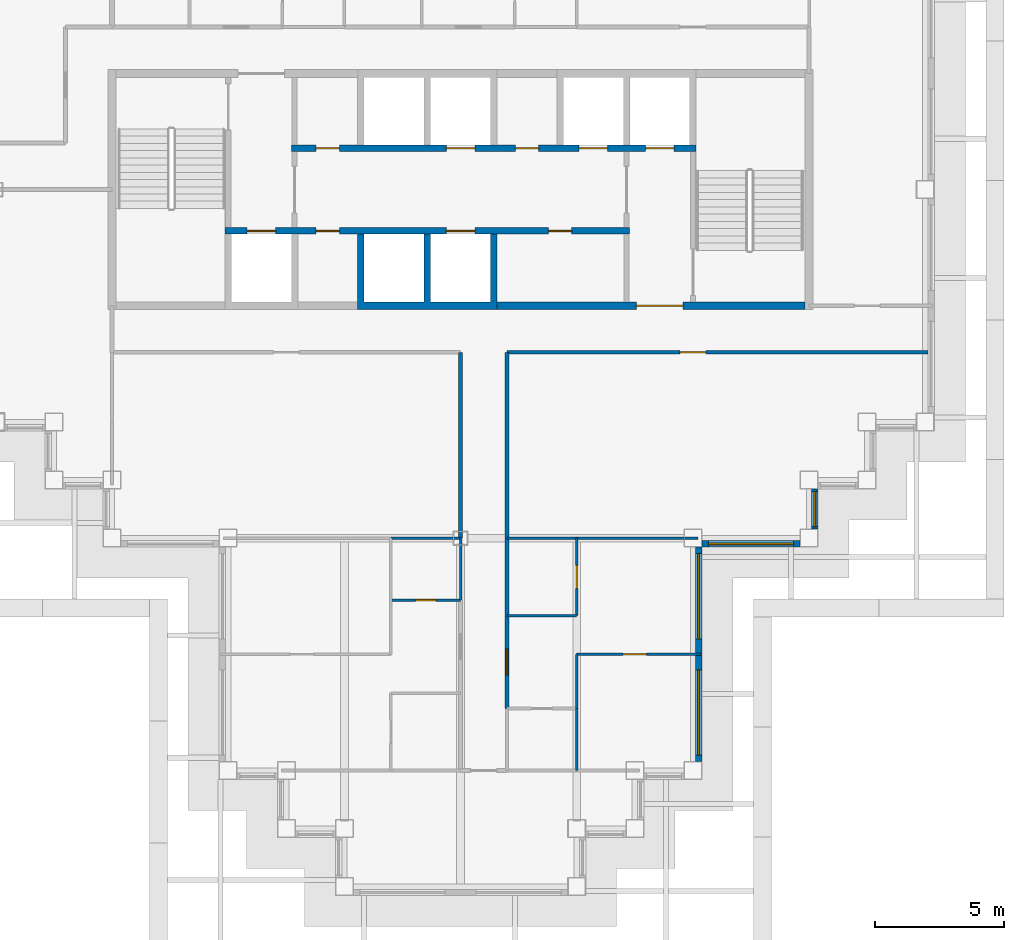
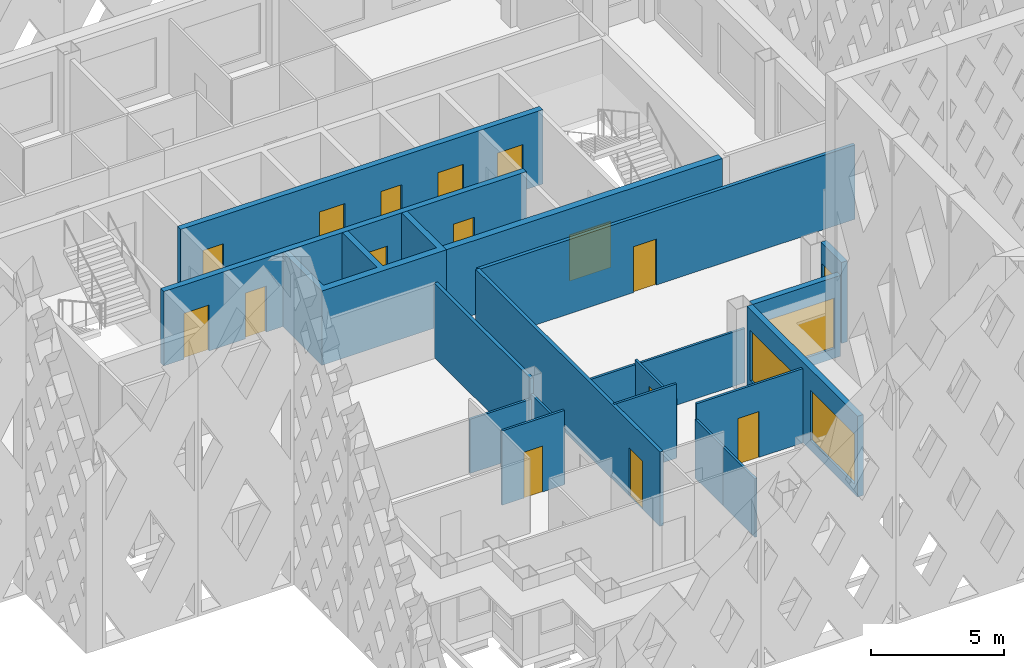
# One storey, part 4 of 16: 19 walls, 15 doors, 4 windows, 19 openings.
"""IFC4 building model written with IfcOpenShell, lengths in metres."""

import ifcopenshell
import ifcopenshell.guid

model = None  # the IFC model being written
_history = None  # IfcOwnerHistory: only IFC2X3 demands one
_inside = {}  # id of a spatial element -> (the spatial element, [elements in it])
_under = {}  # id of a project, library or spatial element -> (it, [spatial elements below it])
_declared = {}  # id of a project -> (the project, [libraries it declares])
_typed = {}  # id of a type object -> (the type object, [elements of that type])
_made_of = {}  # id of a material, layer set ... -> (it, [elements and type objects made of it])


def new_model(schema):
    """Start an empty IFC model of exactly this schema.

    Asked for "IFC4X3", IfcOpenShell would pick the latest addendum, in which some entities
    have other attributes; the version numbers below select the first issue.
    IFC2X3 requires an IfcOwnerHistory on every rooted entity: one is made here for all.
    """
    global model, _history
    if schema == "IFC4X3":
        model = ifcopenshell.file(schema_version=(4, 3, 0, 0))
    else:
        model = ifcopenshell.file(schema=schema)
    _inside.clear()
    _under.clear()
    _declared.clear()
    _typed.clear()
    _made_of.clear()
    _history = None
    if model.schema == "IFC2X3":
        org = make("IfcOrganization", Name="unknown")
        user = make(
            "IfcPersonAndOrganization",
            ThePerson=make("IfcPerson", FamilyName="unknown"),
            TheOrganization=org,
        )
        app = make(
            "IfcApplication",
            ApplicationDeveloper=org,
            Version="unknown",
            ApplicationFullName="unknown",
            ApplicationIdentifier="unknown",
        )
        _history = make(
            "IfcOwnerHistory",
            OwningUser=user,
            OwningApplication=app,
            ChangeAction="ADDED",
            CreationDate=0,
        )
    return model


def make(cls, **values):
    """One entity of the class cls with the attributes given. An attribute that is None is left unset."""
    return model.create_entity(
        cls, **{name: value for name, value in values.items() if value is not None}
    )


def rooted(cls, **values):
    """An entity with a GlobalId (a new one), such as an element, a storey or a relation."""
    return make(cls, GlobalId=ifcopenshell.guid.new(), OwnerHistory=_history, **values)


def si_unit(unit_type, name, prefix=None):
    """IfcSIUnit, for example si_unit("LENGTHUNIT", "METRE", prefix="MILLI")."""
    return make("IfcSIUnit", UnitType=unit_type, Prefix=prefix, Name=name)


def assignment(units):
    """IfcUnitAssignment: the units of a project."""
    return None if units is None else make("IfcUnitAssignment", Units=units)


def point(xyz):
    """IfcCartesianPoint."""
    return None if xyz is None else make("IfcCartesianPoint", Coordinates=xyz)


def direction(xyz):
    """IfcDirection."""
    return None if xyz is None else make("IfcDirection", DirectionRatios=xyz)


def frame(location, z_axis=None, x_axis=None):
    """IfcAxis2Placement3D, a coordinate frame: its origin and axes. An axis left out is left unset."""
    return make(
        "IfcAxis2Placement3D",
        Location=point(location),
        Axis=direction(z_axis),
        RefDirection=direction(x_axis),
    )


def frame_2d(location, x_axis=None):
    """IfcAxis2Placement2D, a coordinate frame in the plane: its origin and x axis."""
    return make(
        "IfcAxis2Placement2D", Location=point(location), RefDirection=direction(x_axis)
    )


def origin():
    """The frame at (0, 0, 0) with its axes left unset."""
    return frame((0.0, 0.0, 0.0))


def place(relative_to, where):
    """IfcLocalPlacement: puts the frame where relative to a parent placement (None: the world)."""
    return make(
        "IfcLocalPlacement", PlacementRelTo=relative_to, RelativePlacement=where
    )


def context(
    kind, dimensions, precision=None, world=None, true_north=None, identifier=None
):
    """IfcGeometricRepresentationContext, for example the 3D "Model" context."""
    return make(
        "IfcGeometricRepresentationContext",
        ContextIdentifier=identifier,
        ContextType=kind,
        CoordinateSpaceDimension=dimensions,
        Precision=precision,
        WorldCoordinateSystem=world,
        TrueNorth=true_north,
    )


def subcontext(parent, identifier, kind, view, scale=None):
    """IfcGeometricRepresentationSubContext, for example "Body" below "Model"."""
    return make(
        "IfcGeometricRepresentationSubContext",
        ContextIdentifier=identifier,
        ContextType=kind,
        ParentContext=parent,
        TargetScale=scale,
        TargetView=view,
    )


def project(units=None, contexts=None):
    """IfcProject with its units and contexts."""
    return rooted(
        "IfcProject",
        Name="project",
        RepresentationContexts=contexts,
        UnitsInContext=assignment(units),
    )


def spatial(cls, under=None, at=None, **own):
    """A site, building, storey or space (cls), placed at a placement, below another one or the project."""
    s = rooted(cls, ObjectPlacement=at, **own)
    if under is not None:
        _under.setdefault(under.id(), (under, []))[1].append(s)
    return s


def polyline(points):
    """IfcPolyline through the points."""
    return make("IfcPolyline", Points=[point(p) for p in points])


def profile(cls, at=None, kind="AREA", **sizes):
    """A parametric profile (cls). Its sizes go by their IFC names, for example OverallWidth=200.0."""
    return make(cls, ProfileType=kind, Position=at, **sizes)


def rectangle(**sizes):
    """IfcRectangleProfileDef."""
    return profile("IfcRectangleProfileDef", **sizes)


def outline(outer, holes=None, kind="AREA"):
    """IfcArbitraryClosedProfileDef: a profile drawn as a closed curve; with holes, ...WithVoids."""
    if holes is None:
        return make("IfcArbitraryClosedProfileDef", ProfileType=kind, OuterCurve=outer)
    return make(
        "IfcArbitraryProfileDefWithVoids",
        ProfileType=kind,
        OuterCurve=outer,
        InnerCurves=holes,
    )


def extrude(swept, where, along, depth):
    """IfcExtrudedAreaSolid: the profile swept, set in the frame where, extruded along a direction by depth."""
    return make(
        "IfcExtrudedAreaSolid",
        SweptArea=swept,
        Position=where,
        ExtrudedDirection=direction(along),
        Depth=depth,
    )


def shape(context_of_items, identifier, shape_type, items):
    """IfcShapeRepresentation: the items that make up one representation, for example the "Body"."""
    return make(
        "IfcShapeRepresentation",
        ContextOfItems=context_of_items,
        RepresentationIdentifier=identifier,
        RepresentationType=shape_type,
        Items=items,
    )


def material(Name=None, Category=None):
    """IfcMaterial."""
    return make("IfcMaterial", Name=Name, Category=Category)


def layer(
    of_material, thickness, ventilated=None, Name=None, Category=None, Priority=None
):
    """IfcMaterialLayer: one layer of a wall or slab, of a material (None: an air gap)."""
    return make(
        "IfcMaterialLayer",
        Material=of_material,
        LayerThickness=thickness,
        IsVentilated=ventilated,
        Name=Name,
        Category=Category,
        Priority=Priority,
    )


def layer_set(layers, Name=None):
    """IfcMaterialLayerSet."""
    return make("IfcMaterialLayerSet", MaterialLayers=layers, LayerSetName=Name)


def made_of(thing, what):
    """Note that an element or type object is made of a material, layer set ...; save() writes the relation."""
    if what is not None:
        _made_of.setdefault(what.id(), (what, []))[1].append(thing)
    return thing


def type_object(cls, material=None, **own):
    """A type object (cls), such as IfcWallType, which elements share."""
    return made_of(rooted(cls, **own), material)


def element(
    cls,
    number,
    at=None,
    inside=None,
    cuts=None,
    type_object=None,
    material=None,
    context=None,
    identifier="Body",
    shape_type=None,
    held_by="IfcProductDefinitionShape",
    body=None,
    shapes=None,
    **own,
):
    """One element of the class cls, such as IfcWall. Its Tag is "e" and its number.

    at: its placement. inside: the storey or other place that contains it. cuts: it is an
    opening in that element (IfcRelVoidsElement). A single representation is given by context,
    identifier, shape_type and body (its items); several are given by shapes. held_by: the class
    of the entity that holds the representations. save() writes the other relations.
    """
    e = rooted(cls, Tag="e%d" % number, ObjectPlacement=at, **own)
    if body is not None:
        shapes = [shape(context, identifier, shape_type, body)]
    if shapes is not None:
        e.Representation = make(held_by, Representations=shapes)
    if inside is not None:
        _inside.setdefault(inside.id(), (inside, []))[1].append(e)
    if cuts is not None:
        rooted(
            "IfcRelVoidsElement", RelatingBuildingElement=cuts, RelatedOpeningElement=e
        )
    if type_object is not None:
        _typed.setdefault(type_object.id(), (type_object, []))[1].append(e)
    return made_of(e, material)


def fill(opening, filler):
    """IfcRelFillsElement: the door or window that sits in an opening."""
    return rooted(
        "IfcRelFillsElement",
        RelatingOpeningElement=opening,
        RelatedBuildingElement=filler,
    )


def aggregate(whole, parts):
    """IfcRelAggregates: a whole, such as a stair, and the parts it consists of."""
    return rooted("IfcRelAggregates", RelatingObject=whole, RelatedObjects=parts)


def save(model, path):
    """Write the relations noted so far, then the file.

    IfcRelAggregates (storeys below a building ...), IfcRelContainedInSpatialStructure (elements
    in a storey), IfcRelDefinesByType, IfcRelAssociatesMaterial and IfcRelDeclares: one each for
    every whole, place, type object, material and project.
    """
    for whole, parts in _under.values():
        aggregate(whole, parts)
    for where, things in _inside.values():
        rooted(
            "IfcRelContainedInSpatialStructure",
            RelatedElements=things,
            RelatingStructure=where,
        )
    for kind, things in _typed.values():
        rooted("IfcRelDefinesByType", RelatedObjects=things, RelatingType=kind)
    for what, things in _made_of.values():
        rooted("IfcRelAssociatesMaterial", RelatedObjects=things, RelatingMaterial=what)
    for by, libraries in _declared.values():
        rooted("IfcRelDeclares", RelatingContext=by, RelatedDefinitions=libraries)
    model.write(path)


model = new_model("IFC4")

# Units and contexts
model_context = context("Model", 3, precision=1e-05, world=origin(), true_north=direction((0.0, 1.0)))
body_context = subcontext(model_context, "Body", "Model", "MODEL_VIEW")
ifc_project = project(units=[si_unit("LENGTHUNIT", "METRE"), si_unit("AREAUNIT", "SQUARE_METRE"), si_unit("VOLUMEUNIT", "CUBIC_METRE"), si_unit("PLANEANGLEUNIT", "RADIAN"), si_unit("MASSUNIT", "GRAM", prefix="KILO")], contexts=[model_context])

# Site, building, storey
site_placement = place(None, origin())
site = spatial("IfcSite", under=ifc_project, at=site_placement, CompositionType="ELEMENT")
building_placement = place(site_placement, origin())
building = spatial("IfcBuilding", under=site, at=building_placement, Name="Caravel Reach Hotel and Residences", CompositionType="ELEMENT")
storey_placement = place(building_placement, frame((0.0, 0.0, 207.199951171875)))
storey = spatial("IfcBuildingStorey", under=building, at=storey_placement, Name="L52", CompositionType="ELEMENT", Elevation=207.199951171875)

# Wall, opening, door
ifc_material_1 = material(Name="Gypsum board on steel stud", Category="steel")
ifc_layer_1 = layer(ifc_material_1, 0.10009765625)
ifc_layer_set_1 = layer_set([ifc_layer_1], Name="Bathroom pod wall 100 mm")
wall_type_1 = type_object("IfcWallType", Name="Bathroom pod wall 100 mm", PredefinedType="PARTITIONING", material=ifc_layer_set_1)
wall_1_placement = place(storey_placement, frame((28.800048828125, 11.10009765625, 0.0), z_axis=(0.0, 0.0, 1.0), x_axis=(1.0, 0.0, 0.0)))
wall_1 = element("IfcWall", 1, at=wall_1_placement, inside=storey, type_object=wall_type_1, Name="L52 wall w064", PredefinedType="PARTITIONING", context=body_context, shape_type="SweptSolid", body=[
    extrude(rectangle(XDim=2.699951171875, YDim=0.10009765625, at=frame_2d((1.35009765625, 0.0))), origin(), (0.0, 0.0, 1.0), 3.400146484375),
])
opening_1_placement = place(wall_1_placement, frame((0.949951171875, 0.0, 0.0)))
opening_1 = element("IfcOpeningElement", 2, at=opening_1_placement, cuts=wall_1, Name="Opening D52-034", PredefinedType="OPENING", context=body_context, shape_type="SweptSolid", body=[
    extrude(rectangle(XDim=0.800048828125, YDim=2.10009765625, at=frame_2d((0.39990234375, 1.050048828125))), frame((0.0, 0.06005859375, 0.0), z_axis=(0.0, -1.0, 0.0), x_axis=(1.0, 0.0, 0.0)), (0.0, 0.0, 1.0), 0.1201171875),
])
ifc_material_2 = material(Name="Timber and steel door leaf", Category="steel")
door_type_1 = type_object("IfcDoorType", Name="Bathroom door 800 x 2100", OperationType="SINGLE_SWING_LEFT", PredefinedType="DOOR", material=ifc_material_2)
door_1_placement = place(opening_1_placement, origin())
door_1 = element("IfcDoor", 3, at=door_1_placement, inside=storey, type_object=door_type_1, Name="door D52-034", OperationType="SINGLE_SWING_RIGHT", OverallHeight=2.10009765625, OverallWidth=0.800048828125, PredefinedType="DOOR", context=body_context, shape_type="SweptSolid", body=[
    extrude(rectangle(XDim=0.800048828125, YDim=2.10009765625, at=frame_2d((0.39990234375, 1.050048828125))), frame((0.0, 0.02490234375, 0.0), z_axis=(0.0, -1.0, 0.0), x_axis=(1.0, 0.0, 0.0)), (0.0, 0.0, 1.0), 0.050048828125),
])
fill(opening_1, door_1)

# Walls
wall_2_placement = place(storey_placement, frame((28.800048828125, 13.5, 0.0), z_axis=(0.0, 0.0, 1.0), x_axis=(1.0, 0.0, 0.0)))
element("IfcWall", 4, at=wall_2_placement, inside=storey, type_object=wall_type_1, Name="L52 wall w065", PredefinedType="PARTITIONING", context=body_context, shape_type="SweptSolid", body=[
    extrude(rectangle(XDim=2.699951171875, YDim=0.10009765625, at=frame_2d((1.35009765625, 0.0))), origin(), (0.0, 0.0, 1.0), 2.47998046875),
])
for number, where, z_axis, x_axis, name in (
    (5, (31.5, 11.10009765625, 0.0), (0.0, 0.0, 1.0), (0.0, 1.0, 0.0), "L52 wall w077"),
    (6, (36.0, 4.5, 0.0), (0.0, 0.0, 1.0), (0.0, 1.0, 0.0), "L52 wall w081"),
):
    element("IfcWall", number, at=place(storey_placement, frame(where, z_axis=z_axis, x_axis=x_axis)), inside=storey, type_object=wall_type_1, Name=name, PredefinedType="PARTITIONING", context=body_context, shape_type="SweptSolid", body=[
        extrude(rectangle(XDim=2.39990234375, YDim=0.10009765625, at=frame_2d((1.199951171875, 0.0))), origin(), (0.0, 0.0, 1.0), 2.679931640625),
    ])

# Wall, opening, door
ifc_material_3 = material(Name="Concrete C60", Category="concrete")
ifc_layer_2 = layer(ifc_material_3, 0.300048828125)
ifc_layer_set_2 = layer_set([ifc_layer_2], Name="Core wall 300 mm EI 120")
wall_type_2 = type_object("IfcWallType", Name="Core wall 300 mm EI 120", PredefinedType="SHEAR", material=ifc_layer_set_2)
wall_3_placement = place(storey_placement, frame((32.91064453125, 22.5, 0.0), z_axis=(0.0, 0.0, 1.0), x_axis=(1.0, 0.0, 0.0)))
wall_3 = element("IfcWall", 7, at=wall_3_placement, inside=storey, type_object=wall_type_2, Name="L52 core wall S3", PredefinedType="SHEAR", context=body_context, shape_type="SweptSolid", body=[
    extrude(rectangle(XDim=11.939453125, YDim=0.300048828125, at=frame_2d((5.9697265625, 0.0))), origin(), (0.0, 0.0, 1.0), 3.400146484375),
])
opening_2_placement = place(wall_3_placement, frame((5.403564453125, 0.0, 0.0)))
opening_2 = element("IfcOpeningElement", 8, at=opening_2_placement, cuts=wall_3, Name="Opening D52-015", PredefinedType="OPENING", context=body_context, shape_type="SweptSolid", body=[
    extrude(rectangle(XDim=1.800048828125, YDim=2.10009765625, at=frame_2d((0.89990234375, 1.050048828125))), frame((0.0, 0.159912109375, 0.0), z_axis=(0.0, -1.0, 0.0), x_axis=(1.0, 0.0, 0.0)), (0.0, 0.0, 1.0), 0.320068359375),
])
ifc_material_4 = material(Name="Steel fire door leaf", Category="steel")
door_type_2 = type_object("IfcDoorType", Name="Fire lobby door pair 1800 x 2100 EI 90", OperationType="DOUBLE_DOOR_SINGLE_SWING", PredefinedType="DOOR", material=ifc_material_4)
door_2_placement = place(opening_2_placement, origin())
door_2 = element("IfcDoor", 9, at=door_2_placement, inside=storey, type_object=door_type_2, Name="lobby S door pair to corridor", OperationType="DOUBLE_DOOR_SINGLE_SWING", OverallHeight=2.10009765625, OverallWidth=1.800048828125, PredefinedType="DOOR", context=body_context, shape_type="SweptSolid", body=[
    extrude(rectangle(XDim=1.800048828125, YDim=2.10009765625, at=frame_2d((0.89990234375, 1.050048828125))), frame((0.0, 0.02490234375, 0.0), z_axis=(0.0, -1.0, 0.0), x_axis=(1.0, 0.0, 0.0)), (0.0, 0.0, 1.0), 0.050048828125),
])
fill(opening_2, door_2)

ifc_material_5 = material(Name="Gypsum board on steel stud, fire-rated", Category="steel")
ifc_layer_3 = layer(ifc_material_5, 0.14990234375)
ifc_layer_set_3 = layer_set([ifc_layer_3], Name="Corridor wall 150 mm EI 60")
wall_type_3 = type_object("IfcWallType", Name="Corridor wall 150 mm EI 60", PredefinedType="PARTITIONING", material=ifc_layer_set_3)
wall_4_placement = place(storey_placement, frame((33.301025390625, 20.699951171875, 0.0), z_axis=(0.0, 0.0, 1.0), x_axis=(1.0, 0.0, 0.0)))
wall_4 = element("IfcWall", 10, at=wall_4_placement, inside=storey, type_object=wall_type_3, Name="L52 wall w001", PredefinedType="PARTITIONING", context=body_context, shape_type="SweptSolid", body=[
    extrude(rectangle(XDim=16.299072265625, YDim=0.14990234375, at=frame_2d((8.1494140625, 0.0))), origin(), (0.0, 0.0, 1.0), 3.400146484375),
])
opening_3_placement = place(wall_4_placement, frame((6.697998046875, 0.0, 0.0)))
opening_3 = element("IfcOpeningElement", 11, at=opening_3_placement, cuts=wall_4, Name="Opening D52-031", PredefinedType="OPENING", context=body_context, shape_type="SweptSolid", body=[
    extrude(rectangle(XDim=1.0, YDim=2.10009765625, at=frame_2d((0.5, 1.050048828125))), frame((0.0, 0.0849609375, 0.0), z_axis=(0.0, -1.0, 0.0), x_axis=(1.0, 0.0, 0.0)), (0.0, 0.0, 1.0), 0.169921875),
])
ifc_material_6 = material(Name="Steel fire door leaf", Category="steel")
door_type_3 = type_object("IfcDoorType", Name="Fire door 1000 x 2100 EI 60", OperationType="SINGLE_SWING_LEFT", PredefinedType="DOOR", material=ifc_material_6)
door_3_placement = place(opening_3_placement, origin())
door_3 = element("IfcDoor", 12, at=door_3_placement, inside=storey, type_object=door_type_3, Name="door D52-031", OperationType="SINGLE_SWING_LEFT", OverallHeight=2.10009765625, OverallWidth=1.0, PredefinedType="DOOR", context=body_context, shape_type="SweptSolid", body=[
    extrude(rectangle(XDim=1.0, YDim=2.10009765625, at=frame_2d((0.5, 1.050048828125))), frame((0.0, 0.02490234375, 0.0), z_axis=(0.0, -1.0, 0.0), x_axis=(1.0, 0.0, 0.0)), (0.0, 0.0, 1.0), 0.050048828125),
])
fill(opening_3, door_3)

# Wall
wall_5_placement = place(storey_placement, frame((31.5, 13.5, 0.0), z_axis=(0.0, 0.0, 1.0), x_axis=(0.0, 1.0, 0.0)))
element("IfcWall", 13, at=wall_5_placement, inside=storey, type_object=wall_type_3, Name="L52 wall w021", PredefinedType="PARTITIONING", context=body_context, shape_type="SweptSolid", body=[
    extrude(rectangle(XDim=7.199951171875, YDim=0.14990234375, at=frame_2d((3.60009765625, 0.0))), origin(), (0.0, 0.0, 1.0), 3.400146484375),
])

# Wall, opening, door
wall_6_placement = place(storey_placement, frame((33.300048828125, 6.89990234375, 0.0), z_axis=(0.0, 0.0, 1.0), x_axis=(0.0, 1.0, 0.0)))
wall_6 = element("IfcWall", 14, at=wall_6_placement, inside=storey, type_object=wall_type_3, Name="L52 wall w022", PredefinedType="PARTITIONING", context=body_context, shape_type="SweptSolid", body=[
    extrude(rectangle(XDim=13.799072265625, YDim=0.14990234375, at=frame_2d((6.8994140625, 0.0))), origin(), (0.0, 0.0, 1.0), 3.400146484375),
])
opening_4_placement = place(wall_6_placement, frame((1.300048828125, 0.0, 0.0)))
opening_4 = element("IfcOpeningElement", 15, at=opening_4_placement, cuts=wall_6, Name="Opening D52-036", PredefinedType="OPENING", context=body_context, shape_type="SweptSolid", body=[
    extrude(rectangle(XDim=1.0, YDim=2.199951171875, at=frame_2d((0.5, 1.10009765625))), frame((0.0, 0.0849609375, 0.0), z_axis=(0.0, -1.0, 0.0), x_axis=(1.0, 0.0, 0.0)), (0.0, 0.0, 1.0), 0.169921875),
])
ifc_material_7 = material(Name="Steel fire door leaf", Category="steel")
door_type_4 = type_object("IfcDoorType", Name="Flat entrance door 1000 x 2200 EI 60", OperationType="SINGLE_SWING_LEFT", PredefinedType="DOOR", material=ifc_material_7)
door_4_placement = place(opening_4_placement, origin())
door_4 = element("IfcDoor", 16, at=door_4_placement, inside=storey, type_object=door_type_4, Name="door D52-036", OperationType="SINGLE_SWING_LEFT", OverallHeight=2.199951171875, OverallWidth=1.0, PredefinedType="DOOR", context=body_context, shape_type="SweptSolid", body=[
    extrude(rectangle(XDim=1.0, YDim=2.199951171875, at=frame_2d((0.5, 1.10009765625))), frame((0.0, 0.02490234375, 0.0), z_axis=(0.0, -1.0, 0.0), x_axis=(1.0, 0.0, 0.0)), (0.0, 0.0, 1.0), 0.050048828125),
])
fill(opening_4, door_4)

# Wall, opening, window
ifc_material_8 = material(Name="Insulated rainscreen wall, aluminium cladding", Category="aluminium")
ifc_layer_4 = layer(ifc_material_8, 0.25)
ifc_layer_set_4 = layer_set([ifc_layer_4], Name="EW1 Tower rainscreen wall")
wall_type_4 = type_object("IfcWallType", Name="EW1 Tower rainscreen wall", PredefinedType="SOLIDWALL", material=ifc_layer_set_4)
wall_7_placement = place(storey_placement, frame((40.85009765625, 13.27490234375, 0.0), z_axis=(0.0, 0.0, 1.0), x_axis=(1.0, 0.0, 0.0)))
wall_7 = element("IfcWall", 17, at=wall_7_placement, inside=storey, type_object=wall_type_4, Name="External wall L52 S1.1", PredefinedType="SOLIDWALL", context=body_context, shape_type="SweptSolid", body=[
    extrude(rectangle(XDim=3.7998046875, YDim=0.25, at=frame_2d((1.89990234375, 0.0))), origin(), (0.0, 0.0, 1.0), 3.699951171875),
])
opening_5_placement = place(wall_7_placement, frame((0.25, 0.0, 0.449951171875)))
opening_5 = element("IfcOpeningElement", 18, at=opening_5_placement, cuts=wall_7, Name="Opening WN15", PredefinedType="OPENING", context=body_context, shape_type="SweptSolid", body=[
    extrude(rectangle(XDim=3.300048828125, YDim=2.300048828125, at=frame_2d((1.64990234375, 1.14990234375))), frame((0.0, 0.135009765625, 0.0), z_axis=(0.0, -1.0, 0.0), x_axis=(1.0, 0.0, 0.0)), (0.0, 0.0, 1.0), 0.27001953125),
])
ifc_material_9 = material(Name="Dark low-e glazing in black aluminium frame", Category="aluminium")
window_type_1 = type_object("IfcWindowType", Name="Residence living window 3300 x 2300", PartitioningType="SINGLE_PANEL", PredefinedType="WINDOW", material=ifc_material_9)
window_1_placement = place(opening_5_placement, origin())
window_1 = element("IfcWindow", 19, at=window_1_placement, inside=storey, type_object=window_type_1, Name="Window L52 S1.1.1", OverallHeight=2.300048828125, OverallWidth=3.300048828125, PartitioningType="SINGLE_PANEL", PredefinedType="WINDOW", context=body_context, shape_type="SweptSolid", body=[
    extrude(rectangle(XDim=3.300048828125, YDim=2.300048828125, at=frame_2d((1.64990234375, 1.14990234375))), frame((0.0, 0.030029296875, 0.0), z_axis=(0.0, -1.0, 0.0), x_axis=(1.0, 0.0, 0.0)), (0.0, 0.0, 1.0), 0.06005859375),
])
fill(opening_5, window_1)

wall_8_placement = place(storey_placement, frame((45.22509765625, 13.85009765625, 0.0), z_axis=(0.0, 0.0, 1.0), x_axis=(0.0, 1.0, 0.0)))
wall_8 = element("IfcWall", 20, at=wall_8_placement, inside=storey, type_object=wall_type_4, Name="External wall L52 E2.1", PredefinedType="SOLIDWALL", context=body_context, shape_type="SweptSolid", body=[
    extrude(rectangle(XDim=1.5498046875, YDim=0.25, at=frame_2d((0.77490234375, 0.0))), origin(), (0.0, 0.0, 1.0), 3.699951171875),
])
opening_6_placement = place(wall_8_placement, frame((0.10009765625, 0.0, 0.89990234375)))
opening_6 = element("IfcOpeningElement", 21, at=opening_6_placement, cuts=wall_8, Name="Opening WN21", PredefinedType="OPENING", context=body_context, shape_type="SweptSolid", body=[
    extrude(rectangle(XDim=1.35009765625, YDim=1.85009765625, at=frame_2d((0.675048828125, 0.925048828125))), frame((0.0, 0.135009765625, 0.0), z_axis=(0.0, -1.0, 0.0), x_axis=(1.0, 0.0, 0.0)), (0.0, 0.0, 1.0), 0.27001953125),
])
ifc_material_10 = material(Name="Dark low-e glazing in black aluminium frame", Category="aluminium")
window_type_2 = type_object("IfcWindowType", Name="Residence bedroom window 1350 x 1850", PartitioningType="SINGLE_PANEL", PredefinedType="WINDOW", material=ifc_material_10)
window_2_placement = place(opening_6_placement, origin())
window_2 = element("IfcWindow", 22, at=window_2_placement, inside=storey, type_object=window_type_2, Name="Window L52 E2.1.1", OverallHeight=1.85009765625, OverallWidth=1.35009765625, PartitioningType="SINGLE_PANEL", PredefinedType="WINDOW", context=body_context, shape_type="SweptSolid", body=[
    extrude(rectangle(XDim=1.35009765625, YDim=1.85009765625, at=frame_2d((0.675048828125, 0.925048828125))), frame((0.0, 0.030029296875, 0.0), z_axis=(0.0, -1.0, 0.0), x_axis=(1.0, 0.0, 0.0)), (0.0, 0.0, 1.0), 0.06005859375),
])
fill(opening_6, window_2)

# Wall, openings, windows
wall_9_placement = place(storey_placement, frame((40.72509765625, 4.85009765625, 0.0), z_axis=(0.0, 0.0, 1.0), x_axis=(0.0, 1.0, 0.0)))
wall_9 = element("IfcWall", 23, at=wall_9_placement, inside=storey, type_object=wall_type_4, Name="External wall L52 E40.1", PredefinedType="SOLIDWALL", context=body_context, shape_type="SweptSolid", body=[
    extrude(rectangle(XDim=8.2998046875, YDim=0.25, at=frame_2d((4.14990234375, 0.0))), origin(), (0.0, 0.0, 1.0), 3.699951171875),
])
opening_7_placement = place(wall_9_placement, frame((0.25, 0.0, 0.449951171875)))
opening_7 = element("IfcOpeningElement", 24, at=opening_7_placement, cuts=wall_9, Name="Opening WN15", PredefinedType="OPENING", context=body_context, shape_type="SweptSolid", body=[
    extrude(rectangle(XDim=3.300048828125, YDim=2.300048828125, at=frame_2d((1.64990234375, 1.14990234375))), frame((0.0, 0.135009765625, 0.0), z_axis=(0.0, -1.0, 0.0), x_axis=(1.0, 0.0, 0.0)), (0.0, 0.0, 1.0), 0.27001953125),
])
opening_8_placement = place(wall_9_placement, frame((4.75, 0.0, 0.449951171875)))
opening_8 = element("IfcOpeningElement", 25, at=opening_8_placement, cuts=wall_9, Name="Opening WN15", PredefinedType="OPENING", context=body_context, shape_type="SweptSolid", body=[
    extrude(rectangle(XDim=3.300048828125, YDim=2.300048828125, at=frame_2d((1.64990234375, 1.14990234375))), frame((0.0, 0.135009765625, 0.0), z_axis=(0.0, -1.0, 0.0), x_axis=(1.0, 0.0, 0.0)), (0.0, 0.0, 1.0), 0.27001953125),
])
window_3_placement = place(opening_7_placement, origin())
window_3 = element("IfcWindow", 26, at=window_3_placement, inside=storey, type_object=window_type_1, Name="Window L52 E40.1.1", OverallHeight=2.300048828125, OverallWidth=3.300048828125, PartitioningType="SINGLE_PANEL", PredefinedType="WINDOW", context=body_context, shape_type="SweptSolid", body=[
    extrude(rectangle(XDim=3.300048828125, YDim=2.300048828125, at=frame_2d((1.64990234375, 1.14990234375))), frame((0.0, 0.030029296875, 0.0), z_axis=(0.0, -1.0, 0.0), x_axis=(1.0, 0.0, 0.0)), (0.0, 0.0, 1.0), 0.06005859375),
])
fill(opening_7, window_3)
window_4_placement = place(opening_8_placement, origin())
window_4 = element("IfcWindow", 27, at=window_4_placement, inside=storey, type_object=window_type_1, Name="Window L52 E40.1.2", OverallHeight=2.300048828125, OverallWidth=3.300048828125, PartitioningType="SINGLE_PANEL", PredefinedType="WINDOW", context=body_context, shape_type="SweptSolid", body=[
    extrude(rectangle(XDim=3.300048828125, YDim=2.300048828125, at=frame_2d((1.64990234375, 1.14990234375))), frame((0.0, 0.030029296875, 0.0), z_axis=(0.0, -1.0, 0.0), x_axis=(1.0, 0.0, 0.0)), (0.0, 0.0, 1.0), 0.06005859375),
])
fill(opening_8, window_4)

# Walls
ifc_material_11 = material(Name="Gypsum board on steel stud", Category="steel")
ifc_layer_5 = layer(ifc_material_11, 0.10009765625)
ifc_layer_set_5 = layer_set([ifc_layer_5], Name="Partition 100 mm")
wall_type_5 = type_object("IfcWallType", Name="Partition 100 mm", PredefinedType="PARTITIONING", material=ifc_layer_set_5)
wall_10_placement = place(storey_placement, frame((33.300048828125, 10.5, 0.0), z_axis=(0.0, 0.0, 1.0), x_axis=(1.0, 0.0, 0.0)))
element("IfcWall", 28, at=wall_10_placement, inside=storey, type_object=wall_type_5, Name="L52 wall w027", PredefinedType="PARTITIONING", context=body_context, shape_type="SweptSolid", body=[
    extrude(rectangle(XDim=2.699951171875, YDim=0.10009765625, at=frame_2d((1.35009765625, 0.0))), origin(), (0.0, 0.0, 1.0), 3.400146484375),
])
wall_11_placement = place(storey_placement, frame((33.301025390625, 13.5, 0.0), z_axis=(0.0, 0.0, 1.0), x_axis=(1.0, 0.0, 0.0)))
element("IfcWall", 29, at=wall_11_placement, inside=storey, type_object=wall_type_5, Name="L52 wall w029", PredefinedType="PARTITIONING", context=body_context, shape_type="SweptSolid", body=[
    extrude(rectangle(XDim=7.388916015625, YDim=0.10009765625, at=frame_2d((3.6943359375, 0.0))), origin(), (0.0, 0.0, 1.0), 2.47998046875),
])

# Wall, opening, door
wall_12_placement = place(storey_placement, frame((36.0, 9.0, 0.0), z_axis=(0.0, 0.0, 1.0), x_axis=(1.0, 0.0, 0.0)))
wall_12 = element("IfcWall", 30, at=wall_12_placement, inside=storey, type_object=wall_type_5, Name="L52 wall w042", PredefinedType="PARTITIONING", context=body_context, shape_type="SweptSolid", body=[
    extrude(rectangle(XDim=4.7900390625, YDim=0.10009765625, at=frame_2d((2.39501953125, 0.0))), origin(), (0.0, 0.0, 1.0), 3.400146484375),
])
opening_9_placement = place(wall_12_placement, frame((1.800048828125, 0.0, 0.0)))
opening_9 = element("IfcOpeningElement", 31, at=opening_9_placement, cuts=wall_12, Name="Opening D52-039", PredefinedType="OPENING", context=body_context, shape_type="SweptSolid", body=[
    extrude(rectangle(XDim=0.89990234375, YDim=2.10009765625, at=frame_2d((0.449951171875, 1.050048828125))), frame((0.0, 0.06005859375, 0.0), z_axis=(0.0, -1.0, 0.0), x_axis=(1.0, 0.0, 0.0)), (0.0, 0.0, 1.0), 0.1201171875),
])
ifc_material_12 = material(Name="Timber and steel door leaf", Category="steel")
door_type_5 = type_object("IfcDoorType", Name="Door 900 x 2100 timber", OperationType="SINGLE_SWING_LEFT", PredefinedType="DOOR", material=ifc_material_12)
door_5_placement = place(opening_9_placement, origin())
door_5 = element("IfcDoor", 32, at=door_5_placement, inside=storey, type_object=door_type_5, Name="door D52-039", OperationType="SINGLE_SWING_LEFT", OverallHeight=2.10009765625, OverallWidth=0.89990234375, PredefinedType="DOOR", context=body_context, shape_type="SweptSolid", body=[
    extrude(rectangle(XDim=0.89990234375, YDim=2.10009765625, at=frame_2d((0.449951171875, 1.050048828125))), frame((0.0, 0.02490234375, 0.0), z_axis=(0.0, -1.0, 0.0), x_axis=(1.0, 0.0, 0.0)), (0.0, 0.0, 1.0), 0.050048828125),
])
fill(opening_9, door_5)

# Wall
wall_13_placement = place(storey_placement, frame((36.0, 6.89990234375, 0.0), z_axis=(0.0, 0.0, 1.0), x_axis=(0.0, 1.0, 0.0)))
element("IfcWall", 33, at=wall_13_placement, inside=storey, type_object=wall_type_5, Name="L52 wall w055", PredefinedType="PARTITIONING", context=body_context, shape_type="SweptSolid", body=[
    extrude(rectangle(XDim=2.10009765625, YDim=0.10009765625, at=frame_2d((1.050048828125, 0.0))), origin(), (0.0, 0.0, 1.0), 2.679931640625),
])

# Wall, opening, door
wall_14_placement = place(storey_placement, frame((36.0, 10.5, 0.0), z_axis=(0.0, 0.0, 1.0), x_axis=(0.0, 1.0, 0.0)))
wall_14 = element("IfcWall", 34, at=wall_14_placement, inside=storey, type_object=wall_type_5, Name="L52 wall w056", PredefinedType="PARTITIONING", context=body_context, shape_type="SweptSolid", body=[
    extrude(rectangle(XDim=3.0, YDim=0.10009765625, at=frame_2d((1.5, 0.0))), origin(), (0.0, 0.0, 1.0), 2.679931640625),
])
opening_10_placement = place(wall_14_placement, frame((1.050048828125, 0.0, 0.0)))
opening_10 = element("IfcOpeningElement", 35, at=opening_10_placement, cuts=wall_14, Name="Opening D52-038", PredefinedType="OPENING", context=body_context, shape_type="SweptSolid", body=[
    extrude(rectangle(XDim=0.89990234375, YDim=2.10009765625, at=frame_2d((0.449951171875, 1.050048828125))), frame((0.0, 0.06005859375, 0.0), z_axis=(0.0, -1.0, 0.0), x_axis=(1.0, 0.0, 0.0)), (0.0, 0.0, 1.0), 0.1201171875),
])
door_6_placement = place(opening_10_placement, origin())
door_6 = element("IfcDoor", 36, at=door_6_placement, inside=storey, type_object=door_type_5, Name="door D52-038", OperationType="SINGLE_SWING_RIGHT", OverallHeight=2.10009765625, OverallWidth=0.89990234375, PredefinedType="DOOR", context=body_context, shape_type="SweptSolid", body=[
    extrude(rectangle(XDim=0.89990234375, YDim=2.10009765625, at=frame_2d((0.449951171875, 1.050048828125))), frame((0.0, 0.02490234375, 0.0), z_axis=(0.0, -1.0, 0.0), x_axis=(1.0, 0.0, 0.0)), (0.0, 0.0, 1.0), 0.050048828125),
])
fill(opening_10, door_6)

# Wall
ifc_material_13 = material(Name="Concrete C60", Category="concrete")
ifc_layer_6 = layer(ifc_material_13, 0.25)
ifc_layer_set_6 = layer_set([ifc_layer_6], Name="Shaft wall 250 mm EI 120")
wall_type_6 = type_object("IfcWallType", Name="Shaft wall 250 mm EI 120", PredefinedType="SHEAR", material=ifc_layer_set_6)
wall_15_placement = place(storey_placement, origin())
element("IfcWall", 37, at=wall_15_placement, inside=storey, type_object=wall_type_6, Name="L52 lift shaft wall S2", PredefinedType="SHEAR", context=body_context, shape_type="SweptSolid", body=[
    extrude(outline(polyline([(27.517822265625, 22.35009765625), (32.91064453125, 22.35009765625), (32.91064453125, 25.27490234375), (32.66064453125, 25.27490234375), (32.66064453125, 22.64990234375), (30.33935546875, 22.64990234375), (30.33935546875, 25.27490234375), (30.08935546875, 25.27490234375), (30.08935546875, 22.64990234375), (27.767822265625, 22.64990234375), (27.767822265625, 25.27490234375), (27.517822265625, 25.27490234375), (27.517822265625, 22.35009765625)])), origin(), (0.0, 0.0, 1.0), 3.400146484375),
])

# Wall, openings, doors
wall_16_placement = place(storey_placement, frame((22.375, 25.39990234375, 0.0), z_axis=(0.0, 0.0, 1.0), x_axis=(1.0, 0.0, 0.0)))
wall_16 = element("IfcWall", 38, at=wall_16_placement, inside=storey, type_object=wall_type_6, Name="L52 lobby wall S1", PredefinedType="SHEAR", context=body_context, shape_type="SweptSolid", body=[
    extrude(rectangle(XDim=15.678466796875, YDim=0.25, at=frame_2d((7.83935546875, 0.0))), origin(), (0.0, 0.0, 1.0), 3.400146484375),
])
opening_11_placement = place(wall_16_placement, frame((8.574951171875, 0.0, 0.0)))
opening_11 = element("IfcOpeningElement", 39, at=opening_11_placement, cuts=wall_16, Name="Opening D52-001", PredefinedType="OPENING", context=body_context, shape_type="SweptSolid", body=[
    extrude(rectangle(XDim=1.10009765625, YDim=2.10009765625, at=frame_2d((0.550048828125, 1.050048828125))), frame((0.0, 0.135009765625, 0.0), z_axis=(0.0, -1.0, 0.0), x_axis=(1.0, 0.0, 0.0)), (0.0, 0.0, 1.0), 0.27001953125),
])
opening_12_placement = place(wall_16_placement, frame((0.860595703125, 0.0, 0.0)))
opening_12 = element("IfcOpeningElement", 40, at=opening_12_placement, cuts=wall_16, Name="Opening D52-004", PredefinedType="OPENING", context=body_context, shape_type="SweptSolid", body=[
    extrude(rectangle(XDim=1.10009765625, YDim=2.10009765625, at=frame_2d((0.550048828125, 1.050048828125))), frame((0.0, 0.135009765625, 0.0), z_axis=(0.0, -1.0, 0.0), x_axis=(1.0, 0.0, 0.0)), (0.0, 0.0, 1.0), 0.27001953125),
])
opening_13_placement = place(wall_16_placement, frame((3.531982421875, 0.0, 0.0)))
opening_13 = element("IfcOpeningElement", 41, at=opening_13_placement, cuts=wall_16, Name="Opening D52-006", PredefinedType="OPENING", context=body_context, shape_type="SweptSolid", body=[
    extrude(rectangle(XDim=0.89990234375, YDim=2.10009765625, at=frame_2d((0.449951171875, 1.050048828125))), frame((0.0, 0.135009765625, 0.0), z_axis=(0.0, -1.0, 0.0), x_axis=(1.0, 0.0, 0.0)), (0.0, 0.0, 1.0), 0.27001953125),
])
opening_14_placement = place(wall_16_placement, frame((12.531982421875, 0.0, 0.0)))
opening_14 = element("IfcOpeningElement", 42, at=opening_14_placement, cuts=wall_16, Name="Opening D52-007", PredefinedType="OPENING", context=body_context, shape_type="SweptSolid", body=[
    extrude(rectangle(XDim=0.89990234375, YDim=2.10009765625, at=frame_2d((0.449951171875, 1.050048828125))), frame((0.0, 0.135009765625, 0.0), z_axis=(0.0, -1.0, 0.0), x_axis=(1.0, 0.0, 0.0)), (0.0, 0.0, 1.0), 0.27001953125),
])
ifc_material_14 = material(Name="Stainless steel landing door", Category="steel")
door_type_6 = type_object("IfcDoorType", Name="Landing door LD 1100 x 2100 sliding", OperationType="DOUBLE_DOOR_SLIDING", PredefinedType="DOOR", material=ifc_material_14)
door_7_placement = place(opening_11_placement, origin())
door_7 = element("IfcDoor", 43, at=door_7_placement, inside=storey, type_object=door_type_6, Name="MP1 landing door", OperationType="DOUBLE_DOOR_SLIDING", OverallHeight=2.10009765625, OverallWidth=1.10009765625, PredefinedType="DOOR", context=body_context, shape_type="SweptSolid", body=[
    extrude(rectangle(XDim=1.10009765625, YDim=2.10009765625, at=frame_2d((0.550048828125, 1.050048828125))), frame((0.0, 0.02490234375, 0.0), z_axis=(0.0, -1.0, 0.0), x_axis=(1.0, 0.0, 0.0)), (0.0, 0.0, 1.0), 0.050048828125),
])
fill(opening_11, door_7)
door_8_placement = place(opening_12_placement, origin())
door_8 = element("IfcDoor", 44, at=door_8_placement, inside=storey, type_object=door_type_6, Name="FL1 landing door", OperationType="DOUBLE_DOOR_SLIDING", OverallHeight=2.10009765625, OverallWidth=1.10009765625, PredefinedType="DOOR", context=body_context, shape_type="SweptSolid", body=[
    extrude(rectangle(XDim=1.10009765625, YDim=2.10009765625, at=frame_2d((0.550048828125, 1.050048828125))), frame((0.0, 0.02490234375, 0.0), z_axis=(0.0, -1.0, 0.0), x_axis=(1.0, 0.0, 0.0)), (0.0, 0.0, 1.0), 0.050048828125),
])
fill(opening_12, door_8)
ifc_material_15 = material(Name="Steel fire door leaf", Category="steel")
door_type_7 = type_object("IfcDoorType", Name="Riser door 900 x 2100 EI 60", OperationType="SINGLE_SWING_LEFT", PredefinedType="DOOR", material=ifc_material_15)
door_9_placement = place(opening_13_placement, origin())
door_9 = element("IfcDoor", 45, at=door_9_placement, inside=storey, type_object=door_type_7, Name="Recycling store door", OperationType="SINGLE_SWING_LEFT", OverallHeight=2.10009765625, OverallWidth=0.89990234375, PredefinedType="DOOR", context=body_context, shape_type="SweptSolid", body=[
    extrude(rectangle(XDim=0.89990234375, YDim=2.10009765625, at=frame_2d((0.449951171875, 1.050048828125))), frame((0.0, 0.02490234375, 0.0), z_axis=(0.0, -1.0, 0.0), x_axis=(1.0, 0.0, 0.0)), (0.0, 0.0, 1.0), 0.050048828125),
])
fill(opening_13, door_9)
door_10_placement = place(opening_14_placement, origin())
door_10 = element("IfcDoor", 46, at=door_10_placement, inside=storey, type_object=door_type_7, Name="Residents' store door", OperationType="SINGLE_SWING_LEFT", OverallHeight=2.10009765625, OverallWidth=0.89990234375, PredefinedType="DOOR", context=body_context, shape_type="SweptSolid", body=[
    extrude(rectangle(XDim=0.89990234375, YDim=2.10009765625, at=frame_2d((0.449951171875, 1.050048828125))), frame((0.0, 0.02490234375, 0.0), z_axis=(0.0, -1.0, 0.0), x_axis=(1.0, 0.0, 0.0)), (0.0, 0.0, 1.0), 0.050048828125),
])
fill(opening_14, door_10)

wall_17_placement = place(storey_placement, frame((24.946533203125, 28.60009765625, 0.0), z_axis=(0.0, 0.0, 1.0), x_axis=(1.0, 0.0, 0.0)))
wall_17 = element("IfcWall", 47, at=wall_17_placement, inside=storey, type_object=wall_type_6, Name="L52 lobby wall N1", PredefinedType="SHEAR", context=body_context, shape_type="SweptSolid", body=[
    extrude(rectangle(XDim=15.678466796875, YDim=0.25, at=frame_2d((7.83935546875, 0.0))), origin(), (0.0, 0.0, 1.0), 3.400146484375),
])
opening_15_placement = place(wall_17_placement, frame((6.003662109375, 0.0, 0.0)))
opening_15 = element("IfcOpeningElement", 48, at=opening_15_placement, cuts=wall_17, Name="Opening D52-002", PredefinedType="OPENING", context=body_context, shape_type="SweptSolid", body=[
    extrude(rectangle(XDim=1.10009765625, YDim=2.10009765625, at=frame_2d((0.550048828125, 1.050048828125))), frame((0.0, 0.135009765625, 0.0), z_axis=(0.0, -1.0, 0.0), x_axis=(1.0, 0.0, 0.0)), (0.0, 0.0, 1.0), 0.27001953125),
])
opening_16_placement = place(wall_17_placement, frame((11.146484375, 0.0, 0.0)))
opening_16 = element("IfcOpeningElement", 49, at=opening_16_placement, cuts=wall_17, Name="Opening D52-003", PredefinedType="OPENING", context=body_context, shape_type="SweptSolid", body=[
    extrude(rectangle(XDim=1.10009765625, YDim=2.10009765625, at=frame_2d((0.550048828125, 1.050048828125))), frame((0.0, 0.135009765625, 0.0), z_axis=(0.0, -1.0, 0.0), x_axis=(1.0, 0.0, 0.0)), (0.0, 0.0, 1.0), 0.27001953125),
])
opening_17_placement = place(wall_17_placement, frame((13.718017578125, 0.0, 0.0)))
opening_17 = element("IfcOpeningElement", 50, at=opening_17_placement, cuts=wall_17, Name="Opening D52-005", PredefinedType="OPENING", context=body_context, shape_type="SweptSolid", body=[
    extrude(rectangle(XDim=1.10009765625, YDim=2.10009765625, at=frame_2d((0.550048828125, 1.050048828125))), frame((0.0, 0.135009765625, 0.0), z_axis=(0.0, -1.0, 0.0), x_axis=(1.0, 0.0, 0.0)), (0.0, 0.0, 1.0), 0.27001953125),
])
opening_18_placement = place(wall_17_placement, frame((0.960693359375, 0.0, 0.0)))
opening_18 = element("IfcOpeningElement", 51, at=opening_18_placement, cuts=wall_17, Name="Opening D52-008", PredefinedType="OPENING", context=body_context, shape_type="SweptSolid", body=[
    extrude(rectangle(XDim=0.89990234375, YDim=2.10009765625, at=frame_2d((0.449951171875, 1.050048828125))), frame((0.0, 0.135009765625, 0.0), z_axis=(0.0, -1.0, 0.0), x_axis=(1.0, 0.0, 0.0)), (0.0, 0.0, 1.0), 0.27001953125),
])
opening_19_placement = place(wall_17_placement, frame((8.675048828125, 0.0, 0.0)))
opening_19 = element("IfcOpeningElement", 52, at=opening_19_placement, cuts=wall_17, Name="Opening D52-009", PredefinedType="OPENING", context=body_context, shape_type="SweptSolid", body=[
    extrude(rectangle(XDim=0.89990234375, YDim=2.10009765625, at=frame_2d((0.449951171875, 1.050048828125))), frame((0.0, 0.135009765625, 0.0), z_axis=(0.0, -1.0, 0.0), x_axis=(1.0, 0.0, 0.0)), (0.0, 0.0, 1.0), 0.27001953125),
])
door_11_placement = place(opening_15_placement, origin())
door_11 = element("IfcDoor", 53, at=door_11_placement, inside=storey, type_object=door_type_6, Name="MP2 landing door", OperationType="DOUBLE_DOOR_SLIDING", OverallHeight=2.10009765625, OverallWidth=1.10009765625, PredefinedType="DOOR", context=body_context, shape_type="SweptSolid", body=[
    extrude(rectangle(XDim=1.10009765625, YDim=2.10009765625, at=frame_2d((0.550048828125, 1.050048828125))), frame((0.0, 0.02490234375, 0.0), z_axis=(0.0, -1.0, 0.0), x_axis=(1.0, 0.0, 0.0)), (0.0, 0.0, 1.0), 0.050048828125),
])
fill(opening_15, door_11)
door_12_placement = place(opening_16_placement, origin())
door_12 = element("IfcDoor", 54, at=door_12_placement, inside=storey, type_object=door_type_6, Name="MP3 landing door", OperationType="DOUBLE_DOOR_SLIDING", OverallHeight=2.10009765625, OverallWidth=1.10009765625, PredefinedType="DOOR", context=body_context, shape_type="SweptSolid", body=[
    extrude(rectangle(XDim=1.10009765625, YDim=2.10009765625, at=frame_2d((0.550048828125, 1.050048828125))), frame((0.0, 0.02490234375, 0.0), z_axis=(0.0, -1.0, 0.0), x_axis=(1.0, 0.0, 0.0)), (0.0, 0.0, 1.0), 0.050048828125),
])
fill(opening_16, door_12)
door_13_placement = place(opening_17_placement, origin())
door_13 = element("IfcDoor", 55, at=door_13_placement, inside=storey, type_object=door_type_6, Name="FL2 landing door", OperationType="DOUBLE_DOOR_SLIDING", OverallHeight=2.10009765625, OverallWidth=1.10009765625, PredefinedType="DOOR", context=body_context, shape_type="SweptSolid", body=[
    extrude(rectangle(XDim=1.10009765625, YDim=2.10009765625, at=frame_2d((0.550048828125, 1.050048828125))), frame((0.0, 0.02490234375, 0.0), z_axis=(0.0, -1.0, 0.0), x_axis=(1.0, 0.0, 0.0)), (0.0, 0.0, 1.0), 0.050048828125),
])
fill(opening_17, door_13)
door_14_placement = place(opening_18_placement, origin())
door_14 = element("IfcDoor", 56, at=door_14_placement, inside=storey, type_object=door_type_7, Name="Comms room door", OperationType="SINGLE_SWING_LEFT", OverallHeight=2.10009765625, OverallWidth=0.89990234375, PredefinedType="DOOR", context=body_context, shape_type="SweptSolid", body=[
    extrude(rectangle(XDim=0.89990234375, YDim=2.10009765625, at=frame_2d((0.449951171875, 1.050048828125))), frame((0.0, 0.02490234375, 0.0), z_axis=(0.0, -1.0, 0.0), x_axis=(1.0, 0.0, 0.0)), (0.0, 0.0, 1.0), 0.050048828125),
])
fill(opening_18, door_14)
door_15_placement = place(opening_19_placement, origin())
door_15 = element("IfcDoor", 57, at=door_15_placement, inside=storey, type_object=door_type_7, Name="Refuse store door", OperationType="SINGLE_SWING_LEFT", OverallHeight=2.10009765625, OverallWidth=0.89990234375, PredefinedType="DOOR", context=body_context, shape_type="SweptSolid", body=[
    extrude(rectangle(XDim=0.89990234375, YDim=2.10009765625, at=frame_2d((0.449951171875, 1.050048828125))), frame((0.0, 0.02490234375, 0.0), z_axis=(0.0, -1.0, 0.0), x_axis=(1.0, 0.0, 0.0)), (0.0, 0.0, 1.0), 0.050048828125),
])
fill(opening_19, door_15)

save(model, "model.ifc")
